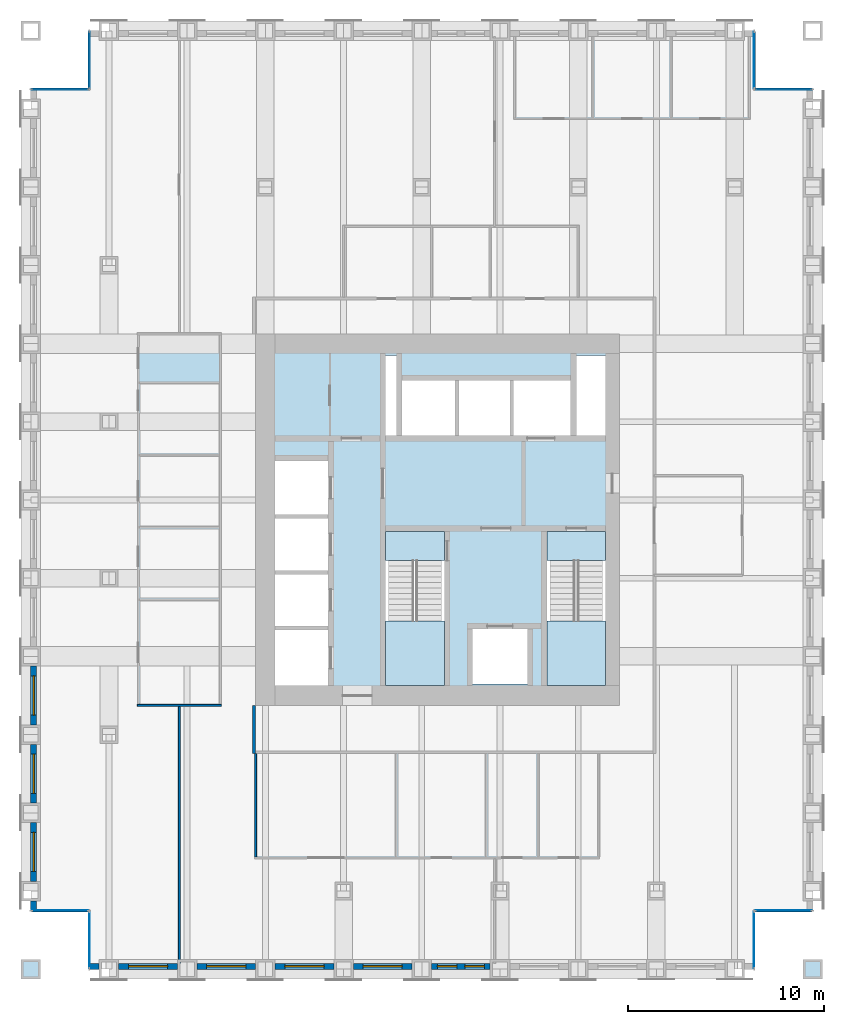
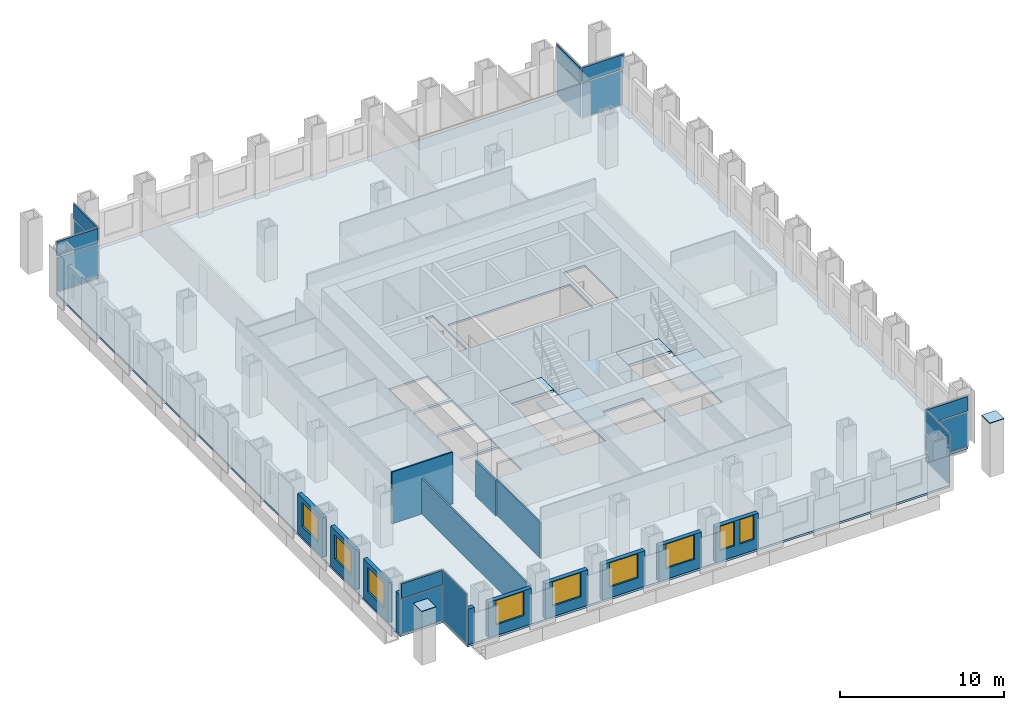
# One storey, part 7 of 12: 16 plates, 14 walls, 9 windows, 5 slabs, 9 openings, 16 elements without a shape of their own.
"""IFC4 building model written with IfcOpenShell, lengths in metres."""

from ifc_helpers import new_model, si_unit, direction, frame, frame_2d, origin, origin_2d, place, context, subcontext, project, spatial, polyline, rectangle, outline, extrude, material, layer, layer_set, type_object, element, fill, aggregate, save


model = new_model("IFC4")

# Units and contexts
model_context = context("Model", 3, precision=1e-05, world=origin(), true_north=direction((0.0, 1.0)))
body_context = subcontext(model_context, "Body", "Model", "MODEL_VIEW")
ifc_project = project(units=[si_unit("LENGTHUNIT", "METRE"), si_unit("AREAUNIT", "SQUARE_METRE"), si_unit("VOLUMEUNIT", "CUBIC_METRE"), si_unit("PLANEANGLEUNIT", "RADIAN"), si_unit("MASSUNIT", "GRAM", prefix="KILO")], contexts=[model_context])

# Site, building, storey
site_placement = place(None, origin())
site = spatial("IfcSite", under=ifc_project, at=site_placement, CompositionType="ELEMENT")
building_placement = place(site_placement, origin())
building = spatial("IfcBuilding", under=site, at=building_placement, Name="Rimbunsela Tower", CompositionType="ELEMENT")
storey_placement = place(building_placement, frame((0.0, 0.0, 167.800048828125)))
storey = spatial("IfcBuildingStorey", under=building, at=storey_placement, Name="L40", CompositionType="ELEMENT", Elevation=167.800048828125)

# Plates
ifc_material_1 = material(Name="Steel BJ 55 (fy 410 MPa)", Category="steel")
ifc_layer_1 = layer(ifc_material_1, 0.050048828125)
ifc_layer_set_1 = layer_set([ifc_layer_1], Name="End cap plate 50")
plate_type_1 = type_object("IfcPlateType", Name="End cap plate 50", PredefinedType="SHEET", material=ifc_layer_set_1)
for number, where, z_axis, x_axis, name in (
    (1, (6.0, 4.0, 4.0), (0.0, 0.0, 1.0), (1.0, 0.0, 0.0), "End cap Column C8 4/C L40"),
    (2, (46.0, 4.0, 4.0), (0.0, 0.0, 1.0), (1.0, 0.0, 0.0), "End cap Column C8 14/C L40"),
):
    element("IfcPlate", number, at=place(storey_placement, frame(where, z_axis=z_axis, x_axis=x_axis)), inside=storey, type_object=plate_type_1, Name=name, PredefinedType="SHEET", context=body_context, shape_type="SweptSolid", body=[
        extrude(rectangle(XDim=1.0, YDim=1.0, at=origin_2d()), origin(), (0.0, 0.0, 1.0), 0.050048828125),
    ])

# Slab
ifc_material_2 = material(Name="Concrete fc' 35 MPa", Category="concrete")
ifc_layer_2 = layer(ifc_material_2, 0.14990234375)
ifc_layer_set_2 = layer_set([ifc_layer_2], Name="Floor slab 150")
slab_type_1 = type_object("IfcSlabType", Name="Floor slab 150", PredefinedType="FLOOR", material=ifc_layer_set_2)
slab_1_placement = place(storey_placement, frame((0.0, 0.0, -0.150146484375)))
element("IfcSlab", 3, at=slab_1_placement, inside=storey, type_object=slab_type_1, Name="Floor slab L40", PredefinedType="FLOOR", context=body_context, shape_type="SweptSolid", body=[
    extrude(outline(polyline([(9.0, 4.0), (43.0, 4.0), (43.0, 7.0), (46.0, 7.0), (46.0, 49.0), (43.0, 49.0), (43.0, 52.0), (9.0, 52.0), (9.0, 49.0), (6.0, 49.0), (6.0, 7.0), (9.0, 7.0), (9.0, 4.0)]), holes=[polyline([(21.199951171875, 21.35009765625), (18.5, 21.35009765625), (18.5, 18.5), (21.199951171875, 18.5), (21.199951171875, 21.35009765625)]), polyline([(21.199951171875, 21.550048828125), (21.199951171875, 24.199951171875), (18.5, 24.199951171875), (18.5, 21.550048828125), (21.199951171875, 21.550048828125)]), polyline([(21.199951171875, 27.050048828125), (18.5, 27.050048828125), (18.5, 24.39990234375), (21.199951171875, 24.39990234375), (21.199951171875, 27.050048828125)]), polyline([(21.199951171875, 27.25), (21.199951171875, 30.0), (18.5, 30.0), (18.5, 27.25), (21.199951171875, 27.25)]), polyline([(27.14990234375, 18.60009765625), (27.14990234375, 26.39990234375), (24.14990234375, 26.39990234375), (24.14990234375, 18.60009765625), (27.14990234375, 18.60009765625)]), polyline([(24.699951171875, 31.300048828125), (24.699951171875, 35.39990234375), (24.14990234375, 35.39990234375), (24.14990234375, 31.300048828125), (24.699951171875, 31.300048828125)]), polyline([(25.0, 34.10009765625), (25.0, 31.300048828125), (33.60009765625, 31.300048828125), (33.60009765625, 34.10009765625), (25.0, 34.10009765625)]), polyline([(31.39990234375, 21.39990234375), (28.60009765625, 21.39990234375), (28.60009765625, 18.60009765625), (31.39990234375, 18.60009765625), (31.39990234375, 21.39990234375)]), polyline([(35.39990234375, 18.60009765625), (35.39990234375, 26.39990234375), (32.39990234375, 26.39990234375), (32.39990234375, 18.60009765625), (35.39990234375, 18.60009765625)]), polyline([(35.39990234375, 31.300048828125), (35.39990234375, 35.39990234375), (33.89990234375, 35.39990234375), (33.89990234375, 31.300048828125), (35.39990234375, 31.300048828125)])]), origin(), (0.0, 0.0, 1.0), 0.150146484375),
])

# Curtain wall, plate
ifc_material_3 = material(Name="Aluminium curtain wall", Category="aluminium")
curtain_wall_type_1 = type_object("IfcCurtainWallType", Name="Corner glazing", PredefinedType="USERDEFINED", material=ifc_material_3)
curtain_wall_1_placement = place(storey_placement, origin())
curtain_wall_1 = element("IfcCurtainWall", 4, at=curtain_wall_1_placement, inside=storey, type_object=curtain_wall_type_1, Name="Corner glazing L40", ObjectType="CORNER GLAZING", PredefinedType="USERDEFINED")
ifc_material_4 = material(Name="Clear double glazing", Category="glass")
ifc_layer_3 = layer(ifc_material_4, 0.028076171875)
ifc_layer_set_3 = layer_set([ifc_layer_3], Name="Glazed panel clear")
plate_type_2 = type_object("IfcPlateType", Name="Glazed panel clear", PredefinedType="CURTAIN_PANEL", material=ifc_layer_set_3)
plate_1_placement = place(storey_placement, frame((43.0, 5.5, 0.06005859375), z_axis=(0.0, 0.0, 1.0), x_axis=(0.0, 1.0, 0.0)))
plate_1 = element("IfcPlate", 5, at=plate_1_placement, type_object=plate_type_2, Name="CW5 panel 1.1", PredefinedType="CURTAIN_PANEL", context=body_context, shape_type="SweptSolid", body=[
    extrude(rectangle(XDim=2.8798828125, YDim=0.028076171875, at=origin_2d()), origin(), (0.0, 0.0, 1.0), 3.72998046875),
])
aggregate(curtain_wall_1, [plate_1])

curtain_wall_2_placement = place(storey_placement, origin())
curtain_wall_2 = element("IfcCurtainWall", 6, at=curtain_wall_2_placement, inside=storey, type_object=curtain_wall_type_1, Name="Corner glazing L40", ObjectType="CORNER GLAZING", PredefinedType="USERDEFINED")
plate_2_placement = place(storey_placement, frame((44.5, 7.0, 0.06005859375), z_axis=(0.0, 0.0, 1.0), x_axis=(1.0, 0.0, 0.0)))
plate_2 = element("IfcPlate", 7, at=plate_2_placement, type_object=plate_type_2, Name="CW5 panel 1.1", PredefinedType="CURTAIN_PANEL", context=body_context, shape_type="SweptSolid", body=[
    extrude(rectangle(XDim=2.8798828125, YDim=0.028076171875, at=origin_2d()), origin(), (0.0, 0.0, 1.0), 2.530029296875),
])
aggregate(curtain_wall_2, [plate_2])

curtain_wall_3_placement = place(storey_placement, origin())
curtain_wall_3 = element("IfcCurtainWall", 8, at=curtain_wall_3_placement, inside=storey, type_object=curtain_wall_type_1, Name="Corner glazing L40", ObjectType="CORNER GLAZING", PredefinedType="USERDEFINED")
plate_3_placement = place(storey_placement, frame((44.5, 49.0, 0.06005859375), z_axis=(0.0, 0.0, 1.0), x_axis=(-1.0, 0.0, 0.0)))
plate_3 = element("IfcPlate", 9, at=plate_3_placement, type_object=plate_type_2, Name="CW5 panel 1.1", PredefinedType="CURTAIN_PANEL", context=body_context, shape_type="SweptSolid", body=[
    extrude(rectangle(XDim=2.8798828125, YDim=0.028076171875, at=origin_2d()), origin(), (0.0, 0.0, 1.0), 2.530029296875),
])
aggregate(curtain_wall_3, [plate_3])

curtain_wall_4_placement = place(storey_placement, origin())
curtain_wall_4 = element("IfcCurtainWall", 10, at=curtain_wall_4_placement, inside=storey, type_object=curtain_wall_type_1, Name="Corner glazing L40", ObjectType="CORNER GLAZING", PredefinedType="USERDEFINED")
plate_4_placement = place(storey_placement, frame((43.0, 50.5, 0.06005859375), z_axis=(0.0, 0.0, 1.0), x_axis=(0.0, 1.0, 0.0)))
plate_4 = element("IfcPlate", 11, at=plate_4_placement, type_object=plate_type_2, Name="CW5 panel 1.1", PredefinedType="CURTAIN_PANEL", context=body_context, shape_type="SweptSolid", body=[
    extrude(rectangle(XDim=2.8798828125, YDim=0.028076171875, at=origin_2d()), origin(), (0.0, 0.0, 1.0), 2.530029296875),
])
aggregate(curtain_wall_4, [plate_4])

curtain_wall_5_placement = place(storey_placement, origin())
curtain_wall_5 = element("IfcCurtainWall", 12, at=curtain_wall_5_placement, inside=storey, type_object=curtain_wall_type_1, Name="Corner glazing L40", ObjectType="CORNER GLAZING", PredefinedType="USERDEFINED")
plate_5_placement = place(storey_placement, frame((9.0, 50.5, 0.06005859375), z_axis=(0.0, 0.0, 1.0), x_axis=(0.0, -1.0, 0.0)))
plate_5 = element("IfcPlate", 13, at=plate_5_placement, type_object=plate_type_2, Name="CW5 panel 1.1", PredefinedType="CURTAIN_PANEL", context=body_context, shape_type="SweptSolid", body=[
    extrude(rectangle(XDim=2.8798828125, YDim=0.028076171875, at=origin_2d()), origin(), (0.0, 0.0, 1.0), 2.530029296875),
])
aggregate(curtain_wall_5, [plate_5])

curtain_wall_6_placement = place(storey_placement, origin())
curtain_wall_6 = element("IfcCurtainWall", 14, at=curtain_wall_6_placement, inside=storey, type_object=curtain_wall_type_1, Name="Corner glazing L40", ObjectType="CORNER GLAZING", PredefinedType="USERDEFINED")
plate_6_placement = place(storey_placement, frame((7.5, 49.0, 0.06005859375), z_axis=(0.0, 0.0, 1.0), x_axis=(-1.0, 0.0, 0.0)))
plate_6 = element("IfcPlate", 15, at=plate_6_placement, type_object=plate_type_2, Name="CW5 panel 1.1", PredefinedType="CURTAIN_PANEL", context=body_context, shape_type="SweptSolid", body=[
    extrude(rectangle(XDim=2.8798828125, YDim=0.028076171875, at=origin_2d()), origin(), (0.0, 0.0, 1.0), 2.530029296875),
])
aggregate(curtain_wall_6, [plate_6])

curtain_wall_7_placement = place(storey_placement, origin())
curtain_wall_7 = element("IfcCurtainWall", 16, at=curtain_wall_7_placement, inside=storey, type_object=curtain_wall_type_1, Name="Corner glazing L40", ObjectType="CORNER GLAZING", PredefinedType="USERDEFINED")
plate_7_placement = place(storey_placement, frame((7.5, 7.0, 0.06005859375), z_axis=(0.0, 0.0, 1.0), x_axis=(1.0, 0.0, 0.0)))
plate_7 = element("IfcPlate", 17, at=plate_7_placement, type_object=plate_type_2, Name="CW5 panel 1.1", PredefinedType="CURTAIN_PANEL", context=body_context, shape_type="SweptSolid", body=[
    extrude(rectangle(XDim=2.8798828125, YDim=0.028076171875, at=origin_2d()), origin(), (0.0, 0.0, 1.0), 2.530029296875),
])
aggregate(curtain_wall_7, [plate_7])

curtain_wall_8_placement = place(storey_placement, origin())
curtain_wall_8 = element("IfcCurtainWall", 18, at=curtain_wall_8_placement, inside=storey, type_object=curtain_wall_type_1, Name="Corner glazing L40", ObjectType="CORNER GLAZING", PredefinedType="USERDEFINED")
plate_8_placement = place(storey_placement, frame((9.0, 5.5, 0.06005859375), z_axis=(0.0, 0.0, 1.0), x_axis=(0.0, -1.0, 0.0)))
plate_8 = element("IfcPlate", 19, at=plate_8_placement, type_object=plate_type_2, Name="CW5 panel 1.1", PredefinedType="CURTAIN_PANEL", context=body_context, shape_type="SweptSolid", body=[
    extrude(rectangle(XDim=2.8798828125, YDim=0.028076171875, at=origin_2d()), origin(), (0.0, 0.0, 1.0), 3.72998046875),
])
aggregate(curtain_wall_8, [plate_8])

ifc_material_5 = material(Name="Aluminium curtain wall", Category="aluminium")
curtain_wall_type_2 = type_object("IfcCurtainWallType", Name="Spandrel wall", PredefinedType="USERDEFINED", material=ifc_material_5)
curtain_wall_9_placement = place(storey_placement, origin())
curtain_wall_9 = element("IfcCurtainWall", 20, at=curtain_wall_9_placement, inside=storey, type_object=curtain_wall_type_2, Name="Spandrel wall L40", ObjectType="SPANDREL WALL", PredefinedType="USERDEFINED")
ifc_material_6 = material(Name="Insulated aluminium spandrel panel", Category="aluminium")
ifc_layer_4 = layer(ifc_material_6, 0.10009765625)
ifc_layer_set_4 = layer_set([ifc_layer_4], Name="Insulated panel 100")
plate_type_3 = type_object("IfcPlateType", Name="Insulated panel 100", PredefinedType="CURTAIN_PANEL", material=ifc_layer_set_4)
plate_9_placement = place(storey_placement, frame((44.5, 7.0, 2.7099609375), z_axis=(0.0, 0.0, 1.0), x_axis=(1.0, 0.0, 0.0)))
plate_9 = element("IfcPlate", 21, at=plate_9_placement, type_object=plate_type_3, Name="CW7 panel 1.1", PredefinedType="CURTAIN_PANEL", context=body_context, shape_type="SweptSolid", body=[
    extrude(rectangle(XDim=2.8798828125, YDim=0.10009765625, at=origin_2d()), origin(), (0.0, 0.0, 1.0), 1.080078125),
])
aggregate(curtain_wall_9, [plate_9])

curtain_wall_10_placement = place(storey_placement, origin())
curtain_wall_10 = element("IfcCurtainWall", 22, at=curtain_wall_10_placement, inside=storey, type_object=curtain_wall_type_2, Name="Spandrel wall L40", ObjectType="SPANDREL WALL", PredefinedType="USERDEFINED")
plate_10_placement = place(storey_placement, frame((44.5, 49.0, 2.7099609375), z_axis=(0.0, 0.0, 1.0), x_axis=(-1.0, 0.0, 0.0)))
plate_10 = element("IfcPlate", 23, at=plate_10_placement, type_object=plate_type_3, Name="CW7 panel 1.1", PredefinedType="CURTAIN_PANEL", context=body_context, shape_type="SweptSolid", body=[
    extrude(rectangle(XDim=2.8798828125, YDim=0.10009765625, at=origin_2d()), origin(), (0.0, 0.0, 1.0), 1.080078125),
])
aggregate(curtain_wall_10, [plate_10])

curtain_wall_11_placement = place(storey_placement, origin())
curtain_wall_11 = element("IfcCurtainWall", 24, at=curtain_wall_11_placement, inside=storey, type_object=curtain_wall_type_2, Name="Spandrel wall L40", ObjectType="SPANDREL WALL", PredefinedType="USERDEFINED")
plate_11_placement = place(storey_placement, frame((43.0, 50.5, 2.7099609375), z_axis=(0.0, 0.0, 1.0), x_axis=(0.0, 1.0, 0.0)))
plate_11 = element("IfcPlate", 25, at=plate_11_placement, type_object=plate_type_3, Name="CW7 panel 1.1", PredefinedType="CURTAIN_PANEL", context=body_context, shape_type="SweptSolid", body=[
    extrude(rectangle(XDim=2.8798828125, YDim=0.10009765625, at=origin_2d()), origin(), (0.0, 0.0, 1.0), 1.080078125),
])
aggregate(curtain_wall_11, [plate_11])

curtain_wall_12_placement = place(storey_placement, origin())
curtain_wall_12 = element("IfcCurtainWall", 26, at=curtain_wall_12_placement, inside=storey, type_object=curtain_wall_type_2, Name="Spandrel wall L40", ObjectType="SPANDREL WALL", PredefinedType="USERDEFINED")
plate_12_placement = place(storey_placement, frame((9.0, 50.5, 2.7099609375), z_axis=(0.0, 0.0, 1.0), x_axis=(0.0, -1.0, 0.0)))
plate_12 = element("IfcPlate", 27, at=plate_12_placement, type_object=plate_type_3, Name="CW7 panel 1.1", PredefinedType="CURTAIN_PANEL", context=body_context, shape_type="SweptSolid", body=[
    extrude(rectangle(XDim=2.8798828125, YDim=0.10009765625, at=origin_2d()), origin(), (0.0, 0.0, 1.0), 1.080078125),
])
aggregate(curtain_wall_12, [plate_12])

curtain_wall_13_placement = place(storey_placement, origin())
curtain_wall_13 = element("IfcCurtainWall", 28, at=curtain_wall_13_placement, inside=storey, type_object=curtain_wall_type_2, Name="Spandrel wall L40", ObjectType="SPANDREL WALL", PredefinedType="USERDEFINED")
plate_13_placement = place(storey_placement, frame((7.5, 49.0, 2.7099609375), z_axis=(0.0, 0.0, 1.0), x_axis=(-1.0, 0.0, 0.0)))
plate_13 = element("IfcPlate", 29, at=plate_13_placement, type_object=plate_type_3, Name="CW7 panel 1.1", PredefinedType="CURTAIN_PANEL", context=body_context, shape_type="SweptSolid", body=[
    extrude(rectangle(XDim=2.8798828125, YDim=0.10009765625, at=origin_2d()), origin(), (0.0, 0.0, 1.0), 1.080078125),
])
aggregate(curtain_wall_13, [plate_13])

curtain_wall_14_placement = place(storey_placement, origin())
curtain_wall_14 = element("IfcCurtainWall", 30, at=curtain_wall_14_placement, inside=storey, type_object=curtain_wall_type_2, Name="Spandrel wall L40", ObjectType="SPANDREL WALL", PredefinedType="USERDEFINED")
plate_14_placement = place(storey_placement, frame((7.5, 7.0, 2.7099609375), z_axis=(0.0, 0.0, 1.0), x_axis=(1.0, 0.0, 0.0)))
plate_14 = element("IfcPlate", 31, at=plate_14_placement, type_object=plate_type_3, Name="CW7 panel 1.1", PredefinedType="CURTAIN_PANEL", context=body_context, shape_type="SweptSolid", body=[
    extrude(rectangle(XDim=2.8798828125, YDim=0.10009765625, at=origin_2d()), origin(), (0.0, 0.0, 1.0), 1.080078125),
])
aggregate(curtain_wall_14, [plate_14])

# Stair, slabs
ifc_material_7 = material(Name="Concrete fc' 35 MPa", Category="concrete")
stair_type = type_object("IfcStairType", Name="Exit stair 24 risers", PredefinedType="HALF_TURN_STAIR", material=ifc_material_7)
stair_1_placement = place(storey_placement, origin())
stair_1 = element("IfcStair", 32, at=stair_1_placement, inside=storey, type_object=stair_type, Name="Exit stair A L40", PredefinedType="HALF_TURN_STAIR")
ifc_material_8 = material(Name="Concrete fc' 35 MPa", Category="concrete")
ifc_layer_5 = layer(ifc_material_8, 0.199951171875)
ifc_layer_set_5 = layer_set([ifc_layer_5], Name="Stair landing 200")
slab_type_2 = type_object("IfcSlabType", Name="Stair landing 200", PredefinedType="LANDING", material=ifc_layer_set_5)
slab_2_placement = place(storey_placement, frame((0.0, 0.0, -0.199951171875)))
slab_2 = element("IfcSlab", 33, at=slab_2_placement, type_object=slab_type_2, Name="ST-A landing 1", PredefinedType="LANDING", context=body_context, shape_type="SweptSolid", body=[
    extrude(outline(polyline([(24.14990234375, 24.89990234375), (27.14990234375, 24.89990234375), (27.14990234375, 26.39990234375), (24.14990234375, 26.39990234375), (24.14990234375, 24.89990234375)])), origin(), (0.0, 0.0, 1.0), 0.199951171875),
])
slab_3_placement = place(storey_placement, frame((0.0, 0.0, 1.800048828125)))
slab_3 = element("IfcSlab", 34, at=slab_3_placement, type_object=slab_type_2, Name="ST-A landing 2", PredefinedType="LANDING", context=body_context, shape_type="SweptSolid", body=[
    extrude(outline(polyline([(24.14990234375, 18.5), (27.14990234375, 18.5), (27.14990234375, 21.820068359375), (24.14990234375, 21.820068359375), (24.14990234375, 18.5)])), origin(), (0.0, 0.0, 1.0), 0.199951171875),
])
aggregate(stair_1, [slab_2, slab_3])

stair_2_placement = place(storey_placement, origin())
stair_2 = element("IfcStair", 35, at=stair_2_placement, inside=storey, type_object=stair_type, Name="Exit stair B L40", PredefinedType="HALF_TURN_STAIR")
slab_4_placement = place(storey_placement, frame((0.0, 0.0, -0.199951171875)))
slab_4 = element("IfcSlab", 36, at=slab_4_placement, type_object=slab_type_2, Name="ST-B landing 1", PredefinedType="LANDING", context=body_context, shape_type="SweptSolid", body=[
    extrude(outline(polyline([(32.39990234375, 24.89990234375), (35.39990234375, 24.89990234375), (35.39990234375, 26.39990234375), (32.39990234375, 26.39990234375), (32.39990234375, 24.89990234375)])), origin(), (0.0, 0.0, 1.0), 0.199951171875),
])
slab_5_placement = place(storey_placement, frame((0.0, 0.0, 1.800048828125)))
slab_5 = element("IfcSlab", 37, at=slab_5_placement, type_object=slab_type_2, Name="ST-B landing 2", PredefinedType="LANDING", context=body_context, shape_type="SweptSolid", body=[
    extrude(outline(polyline([(32.39990234375, 18.5), (35.39990234375, 18.5), (35.39990234375, 21.820068359375), (32.39990234375, 21.820068359375), (32.39990234375, 18.5)])), origin(), (0.0, 0.0, 1.0), 0.199951171875),
])
aggregate(stair_2, [slab_4, slab_5])

# Walls
ifc_material_9 = material(Name="Gypsum board on steel studs", Category="steel")
ifc_layer_6 = layer(ifc_material_9, 0.10009765625)
ifc_layer_set_6 = layer_set([ifc_layer_6], Name="Office partition 100")
wall_type_1 = type_object("IfcWallType", Name="Office partition 100", PredefinedType="PARTITIONING", material=ifc_layer_set_6)
wall_1_placement = place(storey_placement, frame((11.449951171875, 17.5, 0.0), z_axis=(0.0, 0.0, 1.0), x_axis=(1.0, 0.0, 0.0)))
element("IfcWall", 38, at=wall_1_placement, inside=storey, type_object=wall_type_1, Name="Office partition", PredefinedType="PARTITIONING", context=body_context, shape_type="SweptSolid", body=[
    extrude(rectangle(XDim=4.300048828125, YDim=0.10009765625, at=frame_2d((2.14990234375, 0.0))), origin(), (0.0, 0.0, 1.0), 3.849853515625),
])
wall_2_placement = place(storey_placement, frame((17.5, 9.75, 0.0), z_axis=(0.0, 0.0, 1.0), x_axis=(0.0, 1.0, 0.0)))
element("IfcWall", 39, at=wall_2_placement, inside=storey, type_object=wall_type_1, Name="Office partition", PredefinedType="PARTITIONING", context=body_context, shape_type="SweptSolid", body=[
    extrude(rectangle(XDim=5.27490234375, YDim=0.10009765625, at=frame_2d((2.637451171875, 0.0))), origin(), (0.0, 0.0, 1.0), 2.64990234375),
])
wall_3_placement = place(storey_placement, frame((13.60009765625, 4.300048828125, 0.0), z_axis=(0.0, 0.0, 1.0), x_axis=(0.0, 1.0, 0.0)))
element("IfcWall", 40, at=wall_3_placement, inside=storey, type_object=wall_type_1, Name="Office partition", PredefinedType="PARTITIONING", context=body_context, shape_type="SweptSolid", body=[
    extrude(rectangle(XDim=13.14990234375, YDim=0.10009765625, at=frame_2d((6.574951171875, 0.0))), origin(), (0.0, 0.0, 1.0), 2.64990234375),
])
ifc_material_10 = material(Name="Precast concrete fc' 35 MPa", Category="concrete")
ifc_layer_7 = layer(ifc_material_10, 0.300048828125)
ifc_layer_set_7 = layer_set([ifc_layer_7], Name="Precast concrete fc' 35 MPa")
wall_type_2 = type_object("IfcWallType", Name="Precast facade panel 300", PredefinedType="ELEMENTEDWALL", material=ifc_layer_set_7)
wall_4_placement = place(storey_placement, frame((9.030029296875, 4.14990234375, 0.0), z_axis=(0.0, 0.0, 1.0), x_axis=(1.0, 0.0, 0.0)))
element("IfcWall", 41, at=wall_4_placement, inside=storey, type_object=wall_type_2, Name="Facade panel S L40", PredefinedType="ELEMENTEDWALL", context=body_context, shape_type="SweptSolid", body=[
    extrude(rectangle(XDim=0.469970703125, YDim=0.300048828125, at=frame_2d((0.23486328125, 0.0))), origin(), (0.0, 0.0, 1.0), 2.64990234375),
])

# Wall, opening, window
wall_5_placement = place(storey_placement, frame((10.5, 4.14990234375, 0.0), z_axis=(0.0, 0.0, 1.0), x_axis=(1.0, 0.0, 0.0)))
wall_5 = element("IfcWall", 42, at=wall_5_placement, inside=storey, type_object=wall_type_2, Name="Facade panel S L40", PredefinedType="ELEMENTEDWALL", context=body_context, shape_type="SweptSolid", body=[
    extrude(rectangle(XDim=3.0, YDim=0.300048828125, at=frame_2d((1.5, 0.0))), origin(), (0.0, 0.0, 1.0), 2.64990234375),
])
opening_1_placement = place(wall_5_placement, frame((0.5, 0.0, 0.800048828125)))
opening_1 = element("IfcOpeningElement", 43, at=opening_1_placement, cuts=wall_5, Name="Opening W7", PredefinedType="OPENING", context=body_context, shape_type="SweptSolid", body=[
    extrude(rectangle(XDim=2.0, YDim=1.800048828125, at=frame_2d((1.0, 0.89990234375))), frame((0.0, 0.159912109375, 0.0), z_axis=(0.0, -1.0, 0.0), x_axis=(1.0, 0.0, 0.0)), (0.0, 0.0, 1.0), 0.320068359375),
])
ifc_material_11 = material(Name="Clear glass in aluminium frame", Category="aluminium")
window_type_1 = type_object("IfcWindowType", Name="Window W7 2000x1800", PartitioningType="DOUBLE_PANEL_VERTICAL", PredefinedType="WINDOW", material=ifc_material_11)
window_1_placement = place(opening_1_placement, origin())
window_1 = element("IfcWindow", 44, at=window_1_placement, inside=storey, type_object=window_type_1, Name="Window L40", OverallHeight=1.800048828125, OverallWidth=2.0, PartitioningType="SINGLE_PANEL", PredefinedType="WINDOW", context=body_context, shape_type="SweptSolid", body=[
    extrude(rectangle(XDim=2.0, YDim=1.800048828125, at=frame_2d((1.0, 0.89990234375))), frame((0.0, 0.030029296875, 0.0), z_axis=(0.0, -1.0, 0.0), x_axis=(1.0, 0.0, 0.0)), (0.0, 0.0, 1.0), 0.06005859375),
])
fill(opening_1, window_1)

wall_6_placement = place(storey_placement, frame((14.5, 4.14990234375, 0.0), z_axis=(0.0, 0.0, 1.0), x_axis=(1.0, 0.0, 0.0)))
wall_6 = element("IfcWall", 45, at=wall_6_placement, inside=storey, type_object=wall_type_2, Name="Facade panel S L40", PredefinedType="ELEMENTEDWALL", context=body_context, shape_type="SweptSolid", body=[
    extrude(rectangle(XDim=3.0, YDim=0.300048828125, at=frame_2d((1.5, 0.0))), origin(), (0.0, 0.0, 1.0), 2.64990234375),
])
opening_2_placement = place(wall_6_placement, frame((0.5, 0.0, 0.800048828125)))
opening_2 = element("IfcOpeningElement", 46, at=opening_2_placement, cuts=wall_6, Name="Opening W7", PredefinedType="OPENING", context=body_context, shape_type="SweptSolid", body=[
    extrude(rectangle(XDim=2.0, YDim=1.800048828125, at=frame_2d((1.0, 0.89990234375))), frame((0.0, 0.159912109375, 0.0), z_axis=(0.0, -1.0, 0.0), x_axis=(1.0, 0.0, 0.0)), (0.0, 0.0, 1.0), 0.320068359375),
])
window_2_placement = place(opening_2_placement, origin())
window_2 = element("IfcWindow", 47, at=window_2_placement, inside=storey, type_object=window_type_1, Name="Window L40", OverallHeight=1.800048828125, OverallWidth=2.0, PartitioningType="SINGLE_PANEL", PredefinedType="WINDOW", context=body_context, shape_type="SweptSolid", body=[
    extrude(rectangle(XDim=2.0, YDim=1.800048828125, at=frame_2d((1.0, 0.89990234375))), frame((0.0, 0.030029296875, 0.0), z_axis=(0.0, -1.0, 0.0), x_axis=(1.0, 0.0, 0.0)), (0.0, 0.0, 1.0), 0.06005859375),
])
fill(opening_2, window_2)

wall_7_placement = place(storey_placement, frame((18.5, 4.14990234375, 0.0), z_axis=(0.0, 0.0, 1.0), x_axis=(1.0, 0.0, 0.0)))
wall_7 = element("IfcWall", 48, at=wall_7_placement, inside=storey, type_object=wall_type_2, Name="Facade panel S L40", PredefinedType="ELEMENTEDWALL", context=body_context, shape_type="SweptSolid", body=[
    extrude(rectangle(XDim=3.0, YDim=0.300048828125, at=frame_2d((1.5, 0.0))), origin(), (0.0, 0.0, 1.0), 2.64990234375),
])
opening_3_placement = place(wall_7_placement, frame((0.5, 0.0, 0.800048828125)))
opening_3 = element("IfcOpeningElement", 49, at=opening_3_placement, cuts=wall_7, Name="Opening W7", PredefinedType="OPENING", context=body_context, shape_type="SweptSolid", body=[
    extrude(rectangle(XDim=2.0, YDim=1.800048828125, at=frame_2d((1.0, 0.89990234375))), frame((0.0, 0.159912109375, 0.0), z_axis=(0.0, -1.0, 0.0), x_axis=(1.0, 0.0, 0.0)), (0.0, 0.0, 1.0), 0.320068359375),
])
window_3_placement = place(opening_3_placement, origin())
window_3 = element("IfcWindow", 50, at=window_3_placement, inside=storey, type_object=window_type_1, Name="Window L40", OverallHeight=1.800048828125, OverallWidth=2.0, PartitioningType="SINGLE_PANEL", PredefinedType="WINDOW", context=body_context, shape_type="SweptSolid", body=[
    extrude(rectangle(XDim=2.0, YDim=1.800048828125, at=frame_2d((1.0, 0.89990234375))), frame((0.0, 0.030029296875, 0.0), z_axis=(0.0, -1.0, 0.0), x_axis=(1.0, 0.0, 0.0)), (0.0, 0.0, 1.0), 0.06005859375),
])
fill(opening_3, window_3)

wall_8_placement = place(storey_placement, frame((22.5, 4.14990234375, 0.0), z_axis=(0.0, 0.0, 1.0), x_axis=(1.0, 0.0, 0.0)))
wall_8 = element("IfcWall", 51, at=wall_8_placement, inside=storey, type_object=wall_type_2, Name="Facade panel S L40", PredefinedType="ELEMENTEDWALL", context=body_context, shape_type="SweptSolid", body=[
    extrude(rectangle(XDim=3.0, YDim=0.300048828125, at=frame_2d((1.5, 0.0))), origin(), (0.0, 0.0, 1.0), 2.64990234375),
])
opening_4_placement = place(wall_8_placement, frame((0.5, 0.0, 0.800048828125)))
opening_4 = element("IfcOpeningElement", 52, at=opening_4_placement, cuts=wall_8, Name="Opening W7", PredefinedType="OPENING", context=body_context, shape_type="SweptSolid", body=[
    extrude(rectangle(XDim=2.0, YDim=1.800048828125, at=frame_2d((1.0, 0.89990234375))), frame((0.0, 0.159912109375, 0.0), z_axis=(0.0, -1.0, 0.0), x_axis=(1.0, 0.0, 0.0)), (0.0, 0.0, 1.0), 0.320068359375),
])
window_4_placement = place(opening_4_placement, origin())
window_4 = element("IfcWindow", 53, at=window_4_placement, inside=storey, type_object=window_type_1, Name="Window L40", OverallHeight=1.800048828125, OverallWidth=2.0, PartitioningType="SINGLE_PANEL", PredefinedType="WINDOW", context=body_context, shape_type="SweptSolid", body=[
    extrude(rectangle(XDim=2.0, YDim=1.800048828125, at=frame_2d((1.0, 0.89990234375))), frame((0.0, 0.030029296875, 0.0), z_axis=(0.0, -1.0, 0.0), x_axis=(1.0, 0.0, 0.0)), (0.0, 0.0, 1.0), 0.06005859375),
])
fill(opening_4, window_4)

# Wall, openings, windows
wall_9_placement = place(storey_placement, frame((26.5, 4.14990234375, 0.0), z_axis=(0.0, 0.0, 1.0), x_axis=(1.0, 0.0, 0.0)))
wall_9 = element("IfcWall", 54, at=wall_9_placement, inside=storey, type_object=wall_type_2, Name="Facade panel S L40", PredefinedType="ELEMENTEDWALL", context=body_context, shape_type="SweptSolid", body=[
    extrude(rectangle(XDim=3.0, YDim=0.300048828125, at=frame_2d((1.5, 0.0))), origin(), (0.0, 0.0, 1.0), 2.64990234375),
])
opening_5_placement = place(wall_9_placement, frame((0.300048828125, 0.0, 0.800048828125)))
opening_5 = element("IfcOpeningElement", 55, at=opening_5_placement, cuts=wall_9, Name="Opening W8", PredefinedType="OPENING", context=body_context, shape_type="SweptSolid", body=[
    extrude(rectangle(XDim=1.0, YDim=1.800048828125, at=frame_2d((0.5, 0.89990234375))), frame((0.0, 0.159912109375, 0.0), z_axis=(0.0, -1.0, 0.0), x_axis=(1.0, 0.0, 0.0)), (0.0, 0.0, 1.0), 0.320068359375),
])
opening_6_placement = place(wall_9_placement, frame((1.699951171875, 0.0, 0.800048828125)))
opening_6 = element("IfcOpeningElement", 56, at=opening_6_placement, cuts=wall_9, Name="Opening W8", PredefinedType="OPENING", context=body_context, shape_type="SweptSolid", body=[
    extrude(rectangle(XDim=1.0, YDim=1.800048828125, at=frame_2d((0.5, 0.89990234375))), frame((0.0, 0.159912109375, 0.0), z_axis=(0.0, -1.0, 0.0), x_axis=(1.0, 0.0, 0.0)), (0.0, 0.0, 1.0), 0.320068359375),
])
ifc_material_12 = material(Name="Clear glass in aluminium frame", Category="aluminium")
window_type_2 = type_object("IfcWindowType", Name="Window W8 1000x1800", PartitioningType="SINGLE_PANEL", PredefinedType="WINDOW", material=ifc_material_12)
window_5_placement = place(opening_5_placement, origin())
window_5 = element("IfcWindow", 57, at=window_5_placement, inside=storey, type_object=window_type_2, Name="Window L40", OverallHeight=1.800048828125, OverallWidth=1.0, PartitioningType="SINGLE_PANEL", PredefinedType="WINDOW", context=body_context, shape_type="SweptSolid", body=[
    extrude(rectangle(XDim=1.0, YDim=1.800048828125, at=frame_2d((0.5, 0.89990234375))), frame((0.0, 0.030029296875, 0.0), z_axis=(0.0, -1.0, 0.0), x_axis=(1.0, 0.0, 0.0)), (0.0, 0.0, 1.0), 0.06005859375),
])
fill(opening_5, window_5)
window_6_placement = place(opening_6_placement, origin())
window_6 = element("IfcWindow", 58, at=window_6_placement, inside=storey, type_object=window_type_2, Name="Window L40", OverallHeight=1.800048828125, OverallWidth=1.0, PartitioningType="SINGLE_PANEL", PredefinedType="WINDOW", context=body_context, shape_type="SweptSolid", body=[
    extrude(rectangle(XDim=1.0, YDim=1.800048828125, at=frame_2d((0.5, 0.89990234375))), frame((0.0, 0.030029296875, 0.0), z_axis=(0.0, -1.0, 0.0), x_axis=(1.0, 0.0, 0.0)), (0.0, 0.0, 1.0), 0.06005859375),
])
fill(opening_6, window_6)

# Wall
wall_10_placement = place(storey_placement, frame((6.14990234375, 7.5, 0.0), z_axis=(0.0, 0.0, 1.0), x_axis=(0.0, -1.0, 0.0)))
element("IfcWall", 59, at=wall_10_placement, inside=storey, type_object=wall_type_2, Name="Facade panel W L40", PredefinedType="ELEMENTEDWALL", context=body_context, shape_type="SweptSolid", body=[
    extrude(rectangle(XDim=0.469970703125, YDim=0.300048828125, at=frame_2d((0.23486328125, 0.0))), origin(), (0.0, 0.0, 1.0), 2.949951171875),
])

# Wall, opening, window
wall_11_placement = place(storey_placement, frame((6.14990234375, 11.5, 0.0), z_axis=(0.0, 0.0, 1.0), x_axis=(0.0, -1.0, 0.0)))
wall_11 = element("IfcWall", 60, at=wall_11_placement, inside=storey, type_object=wall_type_2, Name="Facade panel W L40", PredefinedType="ELEMENTEDWALL", context=body_context, shape_type="SweptSolid", body=[
    extrude(rectangle(XDim=3.0, YDim=0.300048828125, at=frame_2d((1.5, 0.0))), origin(), (0.0, 0.0, 1.0), 2.949951171875),
])
opening_7_placement = place(wall_11_placement, frame((0.5, 0.0, 0.800048828125)))
opening_7 = element("IfcOpeningElement", 61, at=opening_7_placement, cuts=wall_11, Name="Opening W7", PredefinedType="OPENING", context=body_context, shape_type="SweptSolid", body=[
    extrude(rectangle(XDim=2.0, YDim=1.800048828125, at=frame_2d((1.0, 0.89990234375))), frame((0.0, 0.159912109375, 0.0), z_axis=(0.0, -1.0, 0.0), x_axis=(1.0, 0.0, 0.0)), (0.0, 0.0, 1.0), 0.320068359375),
])
window_7_placement = place(opening_7_placement, origin())
window_7 = element("IfcWindow", 62, at=window_7_placement, inside=storey, type_object=window_type_1, Name="Window L40", OverallHeight=1.800048828125, OverallWidth=2.0, PartitioningType="SINGLE_PANEL", PredefinedType="WINDOW", context=body_context, shape_type="SweptSolid", body=[
    extrude(rectangle(XDim=2.0, YDim=1.800048828125, at=frame_2d((1.0, 0.89990234375))), frame((0.0, 0.030029296875, 0.0), z_axis=(0.0, -1.0, 0.0), x_axis=(1.0, 0.0, 0.0)), (0.0, 0.0, 1.0), 0.06005859375),
])
fill(opening_7, window_7)

wall_12_placement = place(storey_placement, frame((6.14990234375, 15.5, 0.0), z_axis=(0.0, 0.0, 1.0), x_axis=(0.0, -1.0, 0.0)))
wall_12 = element("IfcWall", 63, at=wall_12_placement, inside=storey, type_object=wall_type_2, Name="Facade panel W L40", PredefinedType="ELEMENTEDWALL", context=body_context, shape_type="SweptSolid", body=[
    extrude(rectangle(XDim=3.0, YDim=0.300048828125, at=frame_2d((1.5, 0.0))), origin(), (0.0, 0.0, 1.0), 2.949951171875),
])
opening_8_placement = place(wall_12_placement, frame((0.5, 0.0, 0.800048828125)))
opening_8 = element("IfcOpeningElement", 64, at=opening_8_placement, cuts=wall_12, Name="Opening W7", PredefinedType="OPENING", context=body_context, shape_type="SweptSolid", body=[
    extrude(rectangle(XDim=2.0, YDim=1.800048828125, at=frame_2d((1.0, 0.89990234375))), frame((0.0, 0.159912109375, 0.0), z_axis=(0.0, -1.0, 0.0), x_axis=(1.0, 0.0, 0.0)), (0.0, 0.0, 1.0), 0.320068359375),
])
window_8_placement = place(opening_8_placement, origin())
window_8 = element("IfcWindow", 65, at=window_8_placement, inside=storey, type_object=window_type_1, Name="Window L40", OverallHeight=1.800048828125, OverallWidth=2.0, PartitioningType="SINGLE_PANEL", PredefinedType="WINDOW", context=body_context, shape_type="SweptSolid", body=[
    extrude(rectangle(XDim=2.0, YDim=1.800048828125, at=frame_2d((1.0, 0.89990234375))), frame((0.0, 0.030029296875, 0.0), z_axis=(0.0, -1.0, 0.0), x_axis=(1.0, 0.0, 0.0)), (0.0, 0.0, 1.0), 0.06005859375),
])
fill(opening_8, window_8)

wall_13_placement = place(storey_placement, frame((6.14990234375, 19.5, 0.0), z_axis=(0.0, 0.0, 1.0), x_axis=(0.0, -1.0, 0.0)))
wall_13 = element("IfcWall", 66, at=wall_13_placement, inside=storey, type_object=wall_type_2, Name="Facade panel W L40", PredefinedType="ELEMENTEDWALL", context=body_context, shape_type="SweptSolid", body=[
    extrude(rectangle(XDim=3.0, YDim=0.300048828125, at=frame_2d((1.5, 0.0))), origin(), (0.0, 0.0, 1.0), 2.949951171875),
])
opening_9_placement = place(wall_13_placement, frame((0.5, 0.0, 0.800048828125)))
opening_9 = element("IfcOpeningElement", 67, at=opening_9_placement, cuts=wall_13, Name="Opening W7", PredefinedType="OPENING", context=body_context, shape_type="SweptSolid", body=[
    extrude(rectangle(XDim=2.0, YDim=1.800048828125, at=frame_2d((1.0, 0.89990234375))), frame((0.0, 0.159912109375, 0.0), z_axis=(0.0, -1.0, 0.0), x_axis=(1.0, 0.0, 0.0)), (0.0, 0.0, 1.0), 0.320068359375),
])
window_9_placement = place(opening_9_placement, origin())
window_9 = element("IfcWindow", 68, at=window_9_placement, inside=storey, type_object=window_type_1, Name="Window L40", OverallHeight=1.800048828125, OverallWidth=2.0, PartitioningType="SINGLE_PANEL", PredefinedType="WINDOW", context=body_context, shape_type="SweptSolid", body=[
    extrude(rectangle(XDim=2.0, YDim=1.800048828125, at=frame_2d((1.0, 0.89990234375))), frame((0.0, 0.030029296875, 0.0), z_axis=(0.0, -1.0, 0.0), x_axis=(1.0, 0.0, 0.0)), (0.0, 0.0, 1.0), 0.06005859375),
])
fill(opening_9, window_9)

# Wall
ifc_material_13 = material(Name="Fire-rated gypsum board on steel studs, EI 60", Category="steel")
ifc_layer_8 = layer(ifc_material_13, 0.14990234375)
ifc_layer_set_8 = layer_set([ifc_layer_8], Name="Rated corridor wall 150")
wall_type_3 = type_object("IfcWallType", Name="Rated corridor wall 150", PredefinedType="PARTITIONING", material=ifc_layer_set_8)
wall_14_placement = place(storey_placement, frame((17.425048828125, 15.02490234375, 0.0), z_axis=(0.0, 0.0, 1.0), x_axis=(0.0, 1.0, 0.0)))
element("IfcWall", 69, at=wall_14_placement, inside=storey, type_object=wall_type_3, Name="Corridor end wall south", PredefinedType="PARTITIONING", context=body_context, shape_type="SweptSolid", body=[
    extrude(rectangle(XDim=2.47509765625, YDim=0.14990234375, at=frame_2d((1.237548828125, 0.0))), origin(), (0.0, 0.0, 1.0), 2.64990234375),
])

save(model, "model.ifc")
